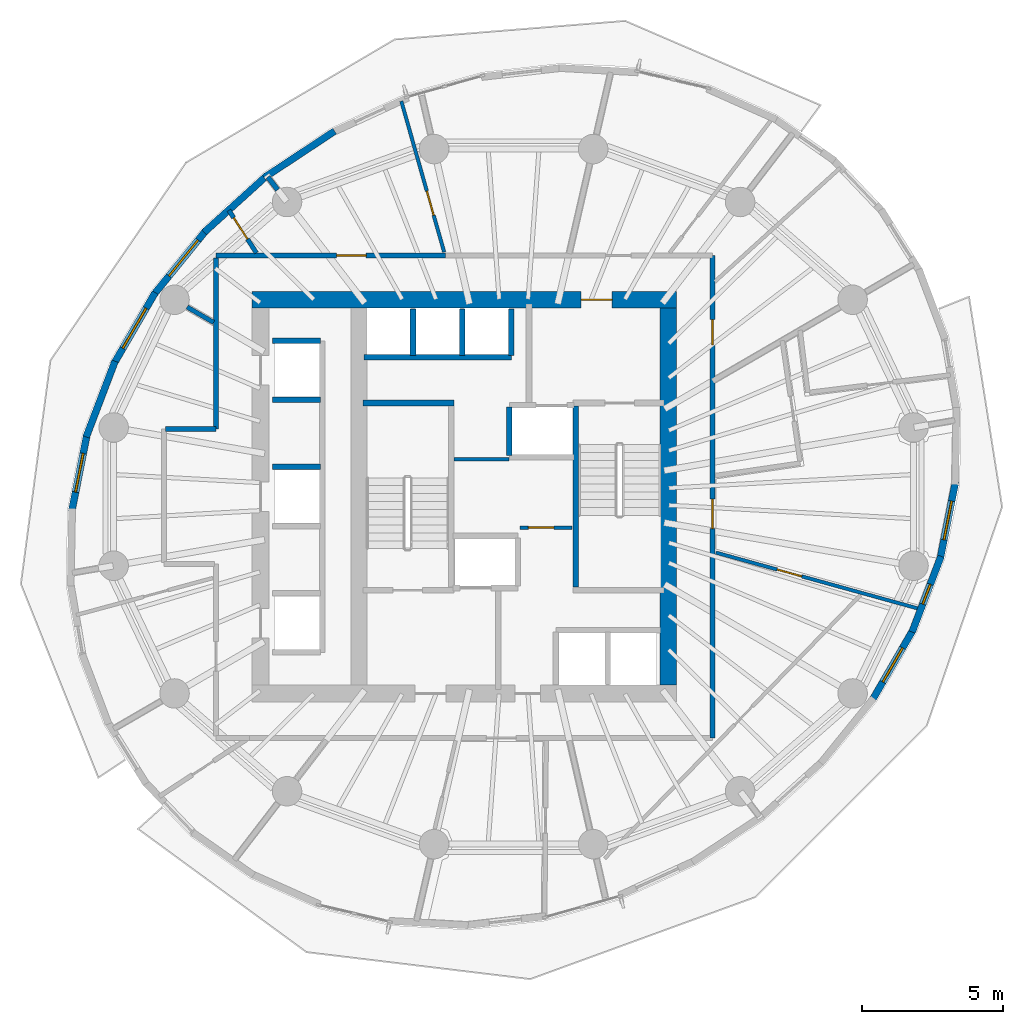
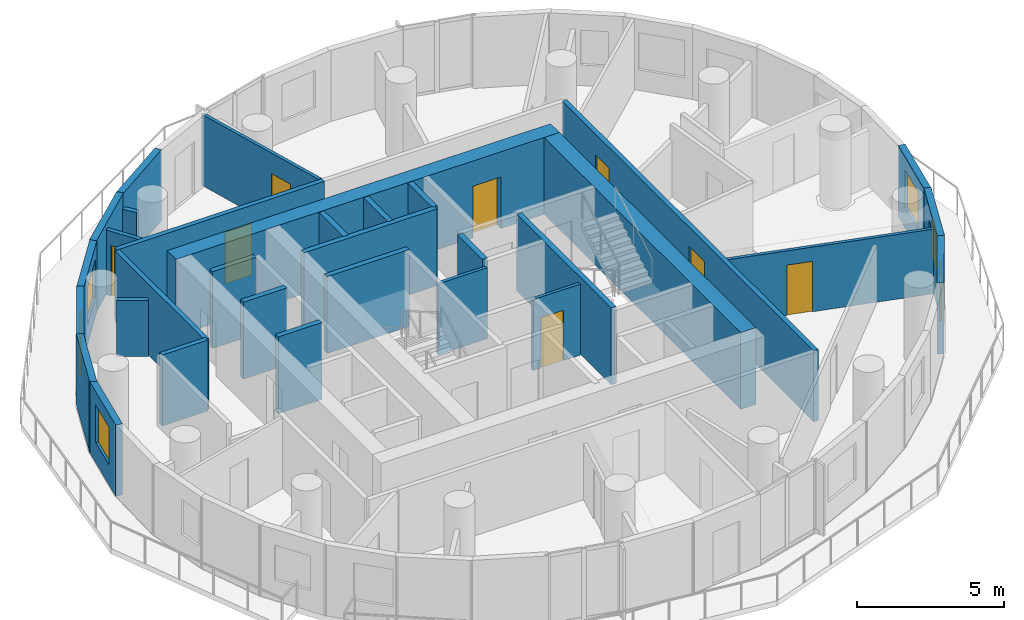
# One storey, part 6 of 13: 32 walls, 8 doors, 6 windows, 14 openings.
"""IFC4 building model written with IfcOpenShell, lengths in metres."""

from ifc_helpers import new_model, si_unit, direction, frame, frame_2d, origin, place, context, subcontext, project, spatial, rectangle, extrude, material, layer, layer_set, type_object, element, fill, save


model = new_model("IFC4")

# Units and contexts
model_context = context("Model", 3, precision=1e-05, world=origin(), true_north=direction((0.0, 1.0)))
body_context = subcontext(model_context, "Body", "Model", "MODEL_VIEW")
ifc_project = project(units=[si_unit("LENGTHUNIT", "METRE"), si_unit("AREAUNIT", "SQUARE_METRE"), si_unit("VOLUMEUNIT", "CUBIC_METRE"), si_unit("PLANEANGLEUNIT", "RADIAN"), si_unit("MASSUNIT", "GRAM", prefix="KILO")], contexts=[model_context])

# Site, building, storey
site_placement = place(None, origin())
site = spatial("IfcSite", under=ifc_project, at=site_placement, CompositionType="ELEMENT")
building_placement = place(site_placement, origin())
building = spatial("IfcBuilding", under=site, at=building_placement, Name="Veldorim Arch Residences", CompositionType="ELEMENT")
storey_placement = place(building_placement, frame((0.0, 0.0, 152.159912109375)))
storey = spatial("IfcBuildingStorey", under=building, at=storey_placement, Name="L45", CompositionType="ELEMENT", Elevation=152.159912109375)

# Wall, opening, door
ifc_material_1 = material(Name="Acoustic Gypsum Board", Category="gypsum")
ifc_layer_1 = layer(ifc_material_1, 0.125, Name="Acoustic Stud Room Partition Wall 125")
ifc_layer_set_1 = layer_set([ifc_layer_1], Name="Acoustic Gypsum Board")
wall_type_1 = type_object("IfcWallType", Name="Acoustic Stud Room Partition Wall 125", PredefinedType="PARTITIONING", material=ifc_layer_set_1)
wall_1_placement = place(storey_placement, frame((32.219970703125, 22.89990234375, 0.0), z_axis=(0.0, 0.0, 1.0), x_axis=(1.0, 0.0, 0.0)))
wall_1 = element("IfcWall", 1, at=wall_1_placement, inside=storey, type_object=wall_type_1, Name="L45 interior wall WL-CA-L45-2", PredefinedType="PARTITIONING", context=body_context, shape_type="SweptSolid", body=[
    extrude(rectangle(XDim=1.860107421875, YDim=0.125, at=frame_2d((0.93017578125, 0.0))), origin(), (0.0, 0.0, 1.0), 2.955078125),
])
opening_1_placement = place(wall_1_placement, frame((0.31005859375, 0.0, 0.0)))
opening_1 = element("IfcOpeningElement", 2, at=opening_1_placement, cuts=wall_1, Name="Opening DR-SVC", PredefinedType="OPENING", context=body_context, shape_type="SweptSolid", body=[
    extrude(rectangle(XDim=0.89990234375, YDim=2.10009765625, at=frame_2d((0.449951171875, 1.050048828125))), frame((0.0, 0.072509765625, 0.0), z_axis=(0.0, -1.0, 0.0), x_axis=(1.0, 0.0, 0.0)), (0.0, 0.0, 1.0), 0.14501953125),
])
ifc_material_2 = material(Name="Fire-Rated Steel", Category="steel")
door_type_1 = type_object("IfcDoorType", Name="Riser, Shelter & Plant Room Rated Steel Door 900x2100", OperationType="SINGLE_SWING_LEFT", PredefinedType="DOOR", material=ifc_material_2)
door_1_placement = place(opening_1_placement, origin())
door_1 = element("IfcDoor", 3, at=door_1_placement, inside=storey, type_object=door_type_1, Name="L45 interior door DR-L45-CA1", OperationType="SINGLE_SWING_RIGHT", OverallHeight=2.10009765625, OverallWidth=0.89990234375, PredefinedType="DOOR", context=body_context, shape_type="SweptSolid", body=[
    extrude(rectangle(XDim=0.89990234375, YDim=2.10009765625, at=frame_2d((0.449951171875, 1.050048828125))), frame((0.0, 0.02490234375, 0.0), z_axis=(0.0, -1.0, 0.0), x_axis=(1.0, 0.0, 0.0)), (0.0, 0.0, 1.0), 0.050048828125),
])
fill(opening_1, door_1)

# Wall
wall_2_placement = place(storey_placement, frame((29.889892578125, 25.330078125, 0.0), z_axis=(0.0, 0.0, 1.0), x_axis=(1.0, 0.0, 0.0)))
element("IfcWall", 4, at=wall_2_placement, inside=storey, type_object=wall_type_1, Name="L45 interior wall WL-CA-L45-N", PredefinedType="PARTITIONING", context=body_context, shape_type="SweptSolid", body=[
    extrude(rectangle(XDim=1.940185546875, YDim=0.125, at=frame_2d((0.97021484375, 0.0))), origin(), (0.0, 0.0, 1.0), 2.955078125),
])

# Wall, opening, door
wall_3_placement = place(storey_placement, frame((46.46630859375, 19.998046875, 0.0), z_axis=(0.0, 0.0, 1.0), x_axis=(-0.963794664313, 0.26664554195, 0.0)))
wall_3 = element("IfcWall", 5, at=wall_3_placement, inside=storey, type_object=wall_type_1, Name="L45 interior wall WL-RES-L45-017", PredefinedType="PARTITIONING", context=body_context, shape_type="SweptSolid", body=[
    extrude(rectangle(XDim=7.543701171875, YDim=0.125, at=frame_2d((3.77197265625, 0.0))), origin(), (0.0, 0.0, 1.0), 2.692138671875),
])
opening_2_placement = place(wall_3_placement, frame((4.380859375, 0.0, 0.0)))
opening_2 = element("IfcOpeningElement", 6, at=opening_2_placement, cuts=wall_3, Name="Opening DR-INT", PredefinedType="OPENING", context=body_context, shape_type="SweptSolid", body=[
    extrude(rectangle(XDim=0.89990234375, YDim=2.10009765625, at=frame_2d((0.449951171875, 1.050048828125))), frame((0.0, 0.072509765625, 0.0), z_axis=(0.0, -1.0, 0.0), x_axis=(1.0, 0.0, 0.0)), (0.0, 0.0, 1.0), 0.14501953125),
])
ifc_material_3 = material(Name="Engineered Timber", Category="wood")
door_type_2 = type_object("IfcDoorType", Name="Apartment Internal Room Timber Door 900x2100", OperationType="SINGLE_SWING_LEFT", PredefinedType="DOOR", material=ifc_material_3)
door_2_placement = place(opening_2_placement, origin())
door_2 = element("IfcDoor", 7, at=door_2_placement, inside=storey, type_object=door_type_2, Name="L45 interior door DR-RES-L45-006", OperationType="SINGLE_SWING_RIGHT", OverallHeight=2.10009765625, OverallWidth=0.89990234375, PredefinedType="DOOR", context=body_context, shape_type="SweptSolid", body=[
    extrude(rectangle(XDim=0.89990234375, YDim=2.10009765625, at=frame_2d((0.449951171875, 1.050048828125))), frame((0.0, 0.02490234375, 0.0), z_axis=(0.0, -1.0, 0.0), x_axis=(1.0, 0.0, 0.0)), (0.0, 0.0, 1.0), 0.050048828125),
])
fill(opening_2, door_2)

wall_4_placement = place(storey_placement, frame((28.008056640625, 38.0625, 0.0), z_axis=(0.0, 0.0, 1.0), x_axis=(0.273056222603, -0.961998076556, 0.0)))
wall_4 = element("IfcWall", 8, at=wall_4_placement, inside=storey, type_object=wall_type_1, Name="L45 interior wall WL-RES-L45-026", PredefinedType="PARTITIONING", context=body_context, shape_type="SweptSolid", body=[
    extrude(rectangle(XDim=5.5791015625, YDim=0.125, at=frame_2d((2.78955078125, 0.0))), origin(), (0.0, 0.0, 1.0), 2.955078125),
])
opening_3_placement = place(wall_4_placement, frame((3.319580078125, 0.0, 0.0)))
opening_3 = element("IfcOpeningElement", 9, at=opening_3_placement, cuts=wall_4, Name="Opening DR-INT", PredefinedType="OPENING", context=body_context, shape_type="SweptSolid", body=[
    extrude(rectangle(XDim=0.89990234375, YDim=2.10009765625, at=frame_2d((0.449951171875, 1.050048828125))), frame((0.0, 0.072509765625, 0.0), z_axis=(0.0, -1.0, 0.0), x_axis=(1.0, 0.0, 0.0)), (0.0, 0.0, 1.0), 0.14501953125),
])
door_3_placement = place(opening_3_placement, origin())
door_3 = element("IfcDoor", 10, at=door_3_placement, inside=storey, type_object=door_type_2, Name="L45 interior door DR-RES-L45-014", OperationType="SINGLE_SWING_RIGHT", OverallHeight=2.10009765625, OverallWidth=0.89990234375, PredefinedType="DOOR", context=body_context, shape_type="SweptSolid", body=[
    extrude(rectangle(XDim=0.89990234375, YDim=2.10009765625, at=frame_2d((0.449951171875, 1.050048828125))), frame((0.0, 0.02490234375, 0.0), z_axis=(0.0, -1.0, 0.0), x_axis=(1.0, 0.0, 0.0)), (0.0, 0.0, 1.0), 0.050048828125),
])
fill(opening_3, door_3)

# Wall
ifc_material_4 = material(Name="Lightweight Masonry Block & Gypsum", Category="masonry")
ifc_layer_2 = layer(ifc_material_4, 0.179931640625, Name="Compartment & Corridor Fire-Rated Party Wall 180")
ifc_layer_set_2 = layer_set([ifc_layer_2], Name="Lightweight Masonry Block & Gypsum")
wall_type_2 = type_object("IfcWallType", Name="Compartment & Corridor Fire-Rated Party Wall 180", PredefinedType="PARTITIONING", material=ifc_layer_set_2)
wall_5_placement = place(storey_placement, frame((23.612060546875, 34.908447265625, 0.0), z_axis=(0.0, 0.0, 1.0), x_axis=(-0.609608105511, 0.79270294417, 0.0)))
element("IfcWall", 11, at=wall_5_placement, inside=storey, type_object=wall_type_2, Name="L45 interior wall WL-PIER-L45-06", PredefinedType="PARTITIONING", context=body_context, shape_type="SweptSolid", body=[
    extrude(rectangle(XDim=0.57470703125, YDim=0.179931640625, at=frame_2d((0.287353515625, 0.0))), origin(), (0.0, 0.0, 1.0), 2.3359375),
])

# Wall, openings, doors
wall_6_placement = place(storey_placement, frame((39.080078125, 32.580078125, 0.0), z_axis=(0.0, 0.0, 1.0), x_axis=(0.0, -1.0, 0.0)))
wall_6 = element("IfcWall", 12, at=wall_6_placement, inside=storey, type_object=wall_type_2, Name="L45 interior wall WL-RES-L45-002", PredefinedType="PARTITIONING", context=body_context, shape_type="SweptSolid", body=[
    extrude(rectangle(XDim=17.16015625, YDim=0.179931640625, at=frame_2d((8.580078125, 0.0))), origin(), (0.0, 0.0, 1.0), 2.955078125),
])
opening_4_placement = place(wall_6_placement, frame((8.667236328125, 0.0, 0.0)))
opening_4 = element("IfcOpeningElement", 13, at=opening_4_placement, cuts=wall_6, Name="Opening DR-FLT", PredefinedType="OPENING", context=body_context, shape_type="SweptSolid", body=[
    extrude(rectangle(XDim=1.050048828125, YDim=2.14990234375, at=frame_2d((0.52490234375, 1.074951171875))), frame((0.0, 0.099853515625, 0.0), z_axis=(0.0, -1.0, 0.0), x_axis=(1.0, 0.0, 0.0)), (0.0, 0.0, 1.0), 0.199951171875),
])
opening_5_placement = place(wall_6_placement, frame((2.283935546875, 0.0, 0.0)))
opening_5 = element("IfcOpeningElement", 14, at=opening_5_placement, cuts=wall_6, Name="Opening DR-SVC", PredefinedType="OPENING", context=body_context, shape_type="SweptSolid", body=[
    extrude(rectangle(XDim=0.89990234375, YDim=2.10009765625, at=frame_2d((0.449951171875, 1.050048828125))), frame((0.0, 0.099853515625, 0.0), z_axis=(0.0, -1.0, 0.0), x_axis=(1.0, 0.0, 0.0)), (0.0, 0.0, 1.0), 0.199951171875),
])
ifc_material_5 = material(Name="Fire-Rated Timber", Category="wood")
door_type_3 = type_object("IfcDoorType", Name="Apartment Entrance Solid-Core Fire Door 1050x2150", OperationType="SINGLE_SWING_LEFT", PredefinedType="DOOR", material=ifc_material_5)
door_4_placement = place(opening_4_placement, origin())
door_4 = element("IfcDoor", 15, at=door_4_placement, inside=storey, type_object=door_type_3, Name="L45 interior door DR-RES-L45-004", OperationType="SINGLE_SWING_RIGHT", OverallHeight=2.14990234375, OverallWidth=1.050048828125, PredefinedType="DOOR", context=body_context, shape_type="SweptSolid", body=[
    extrude(rectangle(XDim=1.050048828125, YDim=2.14990234375, at=frame_2d((0.52490234375, 1.074951171875))), frame((0.0, 0.02490234375, 0.0), z_axis=(0.0, -1.0, 0.0), x_axis=(1.0, 0.0, 0.0)), (0.0, 0.0, 1.0), 0.050048828125),
])
fill(opening_4, door_4)
door_5_placement = place(opening_5_placement, origin())
door_5 = element("IfcDoor", 16, at=door_5_placement, inside=storey, type_object=door_type_1, Name="L45 interior door DR-RES-L45-010", OperationType="SINGLE_SWING_RIGHT", OverallHeight=2.10009765625, OverallWidth=0.89990234375, PredefinedType="DOOR", context=body_context, shape_type="SweptSolid", body=[
    extrude(rectangle(XDim=0.89990234375, YDim=2.10009765625, at=frame_2d((0.449951171875, 1.050048828125))), frame((0.0, 0.02490234375, 0.0), z_axis=(0.0, -1.0, 0.0), x_axis=(1.0, 0.0, 0.0)), (0.0, 0.0, 1.0), 0.050048828125),
])
fill(opening_5, door_5)

# Wall, opening, door
wall_7_placement = place(storey_placement, frame((21.419921875, 32.580078125, 0.0), z_axis=(0.0, 0.0, 1.0), x_axis=(1.0, 0.0, 0.0)))
wall_7 = element("IfcWall", 17, at=wall_7_placement, inside=storey, type_object=wall_type_2, Name="L45 interior wall WL-RES-L45-004", PredefinedType="PARTITIONING", context=body_context, shape_type="SweptSolid", body=[
    extrude(rectangle(XDim=8.16455078125, YDim=0.179931640625, at=frame_2d((4.082275390625, 0.0))), origin(), (0.0, 0.0, 1.0), 2.955078125),
])
opening_6_placement = place(wall_7_placement, frame((4.290771484375, 0.0, 0.0)))
opening_6 = element("IfcOpeningElement", 18, at=opening_6_placement, cuts=wall_7, Name="Opening DR-FLT", PredefinedType="OPENING", context=body_context, shape_type="SweptSolid", body=[
    extrude(rectangle(XDim=1.050048828125, YDim=2.14990234375, at=frame_2d((0.52490234375, 1.074951171875))), frame((0.0, 0.099853515625, 0.0), z_axis=(0.0, -1.0, 0.0), x_axis=(1.0, 0.0, 0.0)), (0.0, 0.0, 1.0), 0.199951171875),
])
door_6_placement = place(opening_6_placement, origin())
door_6 = element("IfcDoor", 19, at=door_6_placement, inside=storey, type_object=door_type_3, Name="L45 interior door DR-RES-L45-012", OperationType="SINGLE_SWING_RIGHT", OverallHeight=2.14990234375, OverallWidth=1.050048828125, PredefinedType="DOOR", context=body_context, shape_type="SweptSolid", body=[
    extrude(rectangle(XDim=1.050048828125, YDim=2.14990234375, at=frame_2d((0.52490234375, 1.074951171875))), frame((0.0, 0.02490234375, 0.0), z_axis=(0.0, -1.0, 0.0), x_axis=(1.0, 0.0, 0.0)), (0.0, 0.0, 1.0), 0.050048828125),
])
fill(opening_6, door_6)

# Walls
wall_8_placement = place(storey_placement, frame((21.419921875, 26.39990234375, 0.0), z_axis=(0.0, 0.0, 1.0), x_axis=(0.0, 1.0, 0.0)))
element("IfcWall", 20, at=wall_8_placement, inside=storey, type_object=wall_type_2, Name="L45 interior wall WL-RES-L45-005", PredefinedType="PARTITIONING", context=body_context, shape_type="SweptSolid", body=[
    extrude(rectangle(XDim=6.080078125, YDim=0.179931640625, at=frame_2d((3.0400390625, 0.0))), origin(), (0.0, 0.0, 1.0), 2.955078125),
])
wall_9_placement = place(storey_placement, frame((19.6298828125, 26.39990234375, 0.0), z_axis=(0.0, 0.0, 1.0), x_axis=(1.0, 0.0, 0.0)))
element("IfcWall", 21, at=wall_9_placement, inside=storey, type_object=wall_type_2, Name="L45 interior wall WL-RES-L45-010", PredefinedType="PARTITIONING", context=body_context, shape_type="SweptSolid", body=[
    extrude(rectangle(XDim=1.7900390625, YDim=0.179931640625, at=frame_2d((0.89501953125, 0.0))), origin(), (0.0, 0.0, 1.0), 2.955078125),
])
ifc_material_6 = material(Name="Concrete C50/60", Category="concrete")
ifc_layer_3 = layer(ifc_material_6, 0.199951171875, Name="Core Stair & Lift Shaft Enclosure Wall 200")
ifc_layer_set_3 = layer_set([ifc_layer_3], Name="Concrete C50/60")
wall_type_3 = type_object("IfcWallType", Name="Core Stair & Lift Shaft Enclosure Wall 200", PredefinedType="SHEAR", material=ifc_layer_set_3)
wall_10_placement = place(storey_placement, frame((26.64990234375, 27.330078125, 0.0), z_axis=(0.0, 0.0, 1.0), x_axis=(1.0, 0.0, 0.0)))
element("IfcWall", 22, at=wall_10_placement, inside=storey, type_object=wall_type_3, Name="L45 shaft wall WL-SHF-L45-ST1-N", PredefinedType="SHEAR", context=body_context, shape_type="SweptSolid", body=[
    extrude(rectangle(XDim=3.239990234375, YDim=0.199951171875, at=frame_2d((1.6201171875, 0.0))), origin(), (0.0, 0.0, 1.0), 3.2001953125),
])
wall_11_placement = place(storey_placement, frame((34.2099609375, 20.780029296875, 0.0), z_axis=(0.0, 0.0, 1.0), x_axis=(0.0, 1.0, 0.0)))
element("IfcWall", 23, at=wall_11_placement, inside=storey, type_object=wall_type_3, Name="L45 shaft wall WL-SHF-L45-ST2-W", PredefinedType="SHEAR", context=body_context, shape_type="SweptSolid", body=[
    extrude(rectangle(XDim=6.43994140625, YDim=0.199951171875, at=frame_2d((3.219970703125, 0.0))), origin(), (0.0, 0.0, 1.0), 3.2001953125),
])
for number, where, z_axis, x_axis, name in (
    (24, (31.85009765625, 25.469970703125, 0.0), (0.0, 0.0, 1.0), (0.0, 1.0, 0.0), "L45 shaft wall WL-FL02-L45-W"),
    (25, (23.419921875, 29.5400390625, 0.0), (0.0, 0.0, 1.0), (1.0, 0.0, 0.0), "L45 shaft wall WL-B2-L45-N"),
    (26, (23.419921875, 25.06005859375, 0.0), (0.0, 0.0, 1.0), (1.0, 0.0, 0.0), "L45 shaft wall WL-B2-L45-D2A"),
    (27, (23.419921875, 27.43994140625, 0.0), (0.0, 0.0, 1.0), (1.0, 0.0, 0.0), "L45 shaft wall WL-B2-L45-D2B"),
):
    element("IfcWall", number, at=place(storey_placement, frame(where, z_axis=z_axis, x_axis=x_axis)), inside=storey, type_object=wall_type_3, Name=name, PredefinedType="SHEAR", context=body_context, shape_type="SweptSolid", body=[
        extrude(rectangle(XDim=1.7099609375, YDim=0.199951171875, at=frame_2d((0.85498046875, 0.0))), origin(), (0.0, 0.0, 1.0), 3.2001953125),
    ])
wall_12_placement = place(storey_placement, frame((26.679931640625, 28.949951171875, 0.0), z_axis=(0.0, 0.0, 1.0), x_axis=(1.0, 0.0, 0.0)))
element("IfcWall", 28, at=wall_12_placement, inside=storey, type_object=wall_type_3, Name="L45 shaft wall WL-B3-L45-S", PredefinedType="SHEAR", context=body_context, shape_type="SweptSolid", body=[
    extrude(rectangle(XDim=5.239990234375, YDim=0.199951171875, at=frame_2d((2.6201171875, 0.0))), origin(), (0.0, 0.0, 1.0), 3.2001953125),
])
for number, where, z_axis, x_axis, name in (
    (29, (31.919921875, 29.02001953125, 0.0), (0.0, 0.0, 1.0), (0.0, 1.0, 0.0), "L45 shaft wall WL-B3-L45-E"),
    (30, (28.425048828125, 29.02001953125, 0.0), (0.0, 0.0, 1.0), (0.0, 1.0, 0.0), "L45 shaft wall WL-B3-L45-D1"),
    (31, (30.175048828125, 29.02001953125, 0.0), (0.0, 0.0, 1.0), (0.0, 1.0, 0.0), "L45 shaft wall WL-B3-L45-D2"),
):
    element("IfcWall", number, at=place(storey_placement, frame(where, z_axis=z_axis, x_axis=x_axis)), inside=storey, type_object=wall_type_3, Name=name, PredefinedType="SHEAR", context=body_context, shape_type="SweptSolid", body=[
        extrude(rectangle(XDim=1.659912109375, YDim=0.199951171875, at=frame_2d((0.830078125, 0.0))), origin(), (0.0, 0.0, 1.0), 3.2001953125),
    ])

# Wall, opening, door
ifc_material_7 = material(Name="Concrete C50/60", Category="concrete")
ifc_layer_4 = layer(ifc_material_7, 0.60009765625, Name="Mid-Upper Central Core Shear Wall 600")
ifc_layer_set_4 = layer_set([ifc_layer_4], Name="Concrete C50/60")
wall_type_4 = type_object("IfcWallType", Name="Mid-Upper Central Core Shear Wall 600", PredefinedType="SHEAR", material=ifc_layer_set_4)
wall_13_placement = place(storey_placement, frame((22.699951171875, 31.0, 0.0), z_axis=(0.0, 0.0, 1.0), x_axis=(1.0, 0.0, 0.0)))
wall_13 = element("IfcWall", 32, at=wall_13_placement, inside=storey, type_object=wall_type_4, Name="L45 central core north shear wall", PredefinedType="SHEAR", context=body_context, shape_type="SweptSolid", body=[
    extrude(rectangle(XDim=15.10009765625, YDim=0.60009765625, at=frame_2d((7.550048828125, 0.0))), origin(), (0.0, 0.0, 1.0), 3.2001953125),
])
opening_7_placement = place(wall_13_placement, frame((11.699951171875, 0.0, 0.0)))
opening_7 = element("IfcOpeningElement", 33, at=opening_7_placement, cuts=wall_13, Name="Opening DR-FFL", PredefinedType="OPENING", context=body_context, shape_type="SweptSolid", body=[
    extrude(rectangle(XDim=1.10009765625, YDim=2.14990234375, at=frame_2d((0.550048828125, 1.074951171875))), frame((0.0, 0.31005859375, 0.0), z_axis=(0.0, -1.0, 0.0), x_axis=(1.0, 0.0, 0.0)), (0.0, 0.0, 1.0), 0.6201171875),
])
ifc_material_8 = material(Name="Fire-Rated Steel & Vision Glass", Category="steel")
door_type_4 = type_object("IfcDoorType", Name="Firefighting Lobby Smoke-Stop Fire Door 1100x2150", OperationType="SINGLE_SWING_LEFT", PredefinedType="DOOR", material=ifc_material_8)
door_7_placement = place(opening_7_placement, origin())
door_7 = element("IfcDoor", 34, at=door_7_placement, inside=storey, type_object=door_type_4, Name="L45 interior door DR-L45-FFL2", OperationType="SINGLE_SWING_LEFT", OverallHeight=2.14990234375, OverallWidth=1.10009765625, PredefinedType="DOOR", context=body_context, shape_type="SweptSolid", body=[
    extrude(rectangle(XDim=1.10009765625, YDim=2.14990234375, at=frame_2d((0.550048828125, 1.074951171875))), frame((0.0, 0.02490234375, 0.0), z_axis=(0.0, -1.0, 0.0), x_axis=(1.0, 0.0, 0.0)), (0.0, 0.0, 1.0), 0.050048828125),
])
fill(opening_7, door_7)

# Walls
wall_14_placement = place(storey_placement, frame((37.5, 17.300048828125, 0.0), z_axis=(0.0, 0.0, 1.0), x_axis=(0.0, 1.0, 0.0)))
element("IfcWall", 35, at=wall_14_placement, inside=storey, type_object=wall_type_4, Name="L45 central core east shear wall", PredefinedType="SHEAR", context=body_context, shape_type="SweptSolid", body=[
    extrude(rectangle(XDim=13.39990234375, YDim=0.60009765625, at=frame_2d((6.699951171875, 0.0))), origin(), (0.0, 0.0, 1.0), 3.2001953125),
])
ifc_material_9 = material(Name="Precast concrete C40/50", Category="concrete")
ifc_layer_5 = layer(ifc_material_9, 0.25, Name="Tower Terracotta Spandrel & Pier Wall 250")
ifc_layer_set_5 = layer_set([ifc_layer_5], Name="Precast concrete C40/50")
wall_type_5 = type_object("IfcWallType", Name="Tower Terracotta Spandrel & Pier Wall 250", PredefinedType="SOLIDWALL", material=ifc_layer_set_5)
wall_15_placement = place(storey_placement, frame((23.132080078125, 35.343994140625, 0.0), z_axis=(0.0, 0.0, 1.0), x_axis=(0.83436073477, 0.551218798912, 0.0)))
element("IfcWall", 36, at=wall_15_placement, inside=storey, type_object=wall_type_5, Name="L45 terracotta facade wall 09", PredefinedType="SOLIDWALL", context=body_context, shape_type="SweptSolid", body=[
    extrude(rectangle(XDim=2.998046875, YDim=0.25, at=frame_2d((1.4990234375, 0.0))), origin(), (0.0, 0.0, 1.0), 2.960205078125),
])
wall_16_placement = place(storey_placement, frame((20.994873046875, 33.3984375, 0.0), z_axis=(0.0, 0.0, 1.0), x_axis=(0.741367932595, 0.671098791922, 0.0)))
element("IfcWall", 37, at=wall_16_placement, inside=storey, type_object=wall_type_5, Name="L45 terracotta facade wall 10", PredefinedType="SOLIDWALL", context=body_context, shape_type="SweptSolid", body=[
    extrude(rectangle(XDim=2.998291015625, YDim=0.25, at=frame_2d((1.4990234375, 0.0))), origin(), (0.0, 0.0, 1.0), 2.960205078125),
])

# Wall, opening, window
wall_17_placement = place(storey_placement, frame((19.19287109375, 31.166748046875, 0.0), z_axis=(0.0, 0.0, 1.0), x_axis=(0.630478385784, 0.776206805599, 0.0)))
wall_17 = element("IfcWall", 38, at=wall_17_placement, inside=storey, type_object=wall_type_5, Name="L45 terracotta facade wall 11", PredefinedType="SOLIDWALL", context=body_context, shape_type="SweptSolid", body=[
    extrude(rectangle(XDim=2.97705078125, YDim=0.25, at=frame_2d((1.488525390625, 0.0))), origin(), (0.0, 0.0, 1.0), 2.960205078125),
])
opening_8_placement = place(wall_17_placement, frame((0.873046875, 0.0, 0.85009765625)))
opening_8 = element("IfcOpeningElement", 39, at=opening_8_placement, cuts=wall_17, Name="Opening WN-03", PredefinedType="OPENING", context=body_context, shape_type="SweptSolid", body=[
    extrude(rectangle(XDim=1.64990234375, YDim=1.550048828125, at=frame_2d((0.824951171875, 0.77490234375))), frame((0.0, 0.135009765625, 0.0), z_axis=(0.0, -1.0, 0.0), x_axis=(1.0, 0.0, 0.0)), (0.0, 0.0, 1.0), 0.27001953125),
])
ifc_material_10 = material(Name="Laminated Low-E Glass", Category="glass")
window_type_1 = type_object("IfcWindowType", Name="Residential Wide Window 1650x1550", PartitioningType="SINGLE_PANEL", PredefinedType="WINDOW", material=ifc_material_10)
window_1_placement = place(opening_8_placement, origin())
window_1 = element("IfcWindow", 40, at=window_1_placement, inside=storey, type_object=window_type_1, Name="L45 solar-control facade window 11", OverallHeight=1.550048828125, OverallWidth=1.64990234375, PartitioningType="SINGLE_PANEL", PredefinedType="WINDOW", context=body_context, shape_type="SweptSolid", body=[
    extrude(rectangle(XDim=1.64990234375, YDim=1.550048828125, at=frame_2d((0.824951171875, 0.77490234375))), frame((0.0, 0.030029296875, 0.0), z_axis=(0.0, -1.0, 0.0), x_axis=(1.0, 0.0, 0.0)), (0.0, 0.0, 1.0), 0.06005859375),
])
fill(opening_8, window_1)

wall_18_placement = place(storey_placement, frame((17.780517578125, 28.716552734375, 0.0), z_axis=(0.0, 0.0, 1.0), x_axis=(0.502009170613, 0.864862296912, 0.0)))
wall_18 = element("IfcWall", 41, at=wall_18_placement, inside=storey, type_object=wall_type_5, Name="L45 terracotta facade wall 12", PredefinedType="SOLIDWALL", context=body_context, shape_type="SweptSolid", body=[
    extrude(rectangle(XDim=2.93701171875, YDim=0.25, at=frame_2d((1.468505859375, 0.0))), origin(), (0.0, 0.0, 1.0), 2.960205078125),
])
opening_9_placement = place(wall_18_placement, frame((0.64306640625, 0.0, 0.85009765625)))
opening_9 = element("IfcOpeningElement", 42, at=opening_9_placement, cuts=wall_18, Name="Opening WN-03", PredefinedType="OPENING", context=body_context, shape_type="SweptSolid", body=[
    extrude(rectangle(XDim=1.64990234375, YDim=1.550048828125, at=frame_2d((0.824951171875, 0.77490234375))), frame((0.0, 0.135009765625, 0.0), z_axis=(0.0, -1.0, 0.0), x_axis=(1.0, 0.0, 0.0)), (0.0, 0.0, 1.0), 0.27001953125),
])
window_2_placement = place(opening_9_placement, origin())
window_2 = element("IfcWindow", 43, at=window_2_placement, inside=storey, type_object=window_type_1, Name="L45 solar-control facade window 12", OverallHeight=1.550048828125, OverallWidth=1.64990234375, PartitioningType="SINGLE_PANEL", PredefinedType="WINDOW", context=body_context, shape_type="SweptSolid", body=[
    extrude(rectangle(XDim=1.64990234375, YDim=1.550048828125, at=frame_2d((0.824951171875, 0.77490234375))), frame((0.0, 0.030029296875, 0.0), z_axis=(0.0, -1.0, 0.0), x_axis=(1.0, 0.0, 0.0)), (0.0, 0.0, 1.0), 0.06005859375),
])
fill(opening_9, window_2)

# Wall
wall_19_placement = place(storey_placement, frame((16.801513671875, 26.123046875, 0.0), z_axis=(0.0, 0.0, 1.0), x_axis=(0.356178525313, 0.934417924756, 0.0)))
element("IfcWall", 44, at=wall_19_placement, inside=storey, type_object=wall_type_5, Name="L45 terracotta facade wall 13", PredefinedType="SOLIDWALL", context=body_context, shape_type="SweptSolid", body=[
    extrude(rectangle(XDim=2.881591796875, YDim=0.25, at=frame_2d((1.44091796875, 0.0))), origin(), (0.0, 0.0, 1.0), 2.960205078125),
])

# Wall, opening, window
wall_20_placement = place(storey_placement, frame((16.28515625, 23.465576171875, 0.0), z_axis=(0.0, 0.0, 1.0), x_axis=(0.194099406303, 0.980981865517, 0.0)))
wall_20 = element("IfcWall", 45, at=wall_20_placement, inside=storey, type_object=wall_type_5, Name="L45 terracotta facade wall 14", PredefinedType="SOLIDWALL", context=body_context, shape_type="SweptSolid", body=[
    extrude(rectangle(XDim=2.8173828125, YDim=0.25, at=frame_2d((1.40869140625, 0.0))), origin(), (0.0, 0.0, 1.0), 2.960205078125),
])
opening_10_placement = place(wall_20_placement, frame((0.708984375, 0.0, 0.85009765625)))
opening_10 = element("IfcOpeningElement", 46, at=opening_10_placement, cuts=wall_20, Name="Opening WN-02", PredefinedType="OPENING", context=body_context, shape_type="SweptSolid", body=[
    extrude(rectangle(XDim=1.39990234375, YDim=1.550048828125, at=frame_2d((0.699951171875, 0.77490234375))), frame((0.0, 0.135009765625, 0.0), z_axis=(0.0, -1.0, 0.0), x_axis=(1.0, 0.0, 0.0)), (0.0, 0.0, 1.0), 0.27001953125),
])
ifc_material_11 = material(Name="Laminated Low-E Glass", Category="glass")
window_type_2 = type_object("IfcWindowType", Name="Residential Casement Window 1400x1550", PartitioningType="SINGLE_PANEL", PredefinedType="WINDOW", material=ifc_material_11)
window_3_placement = place(opening_10_placement, origin())
window_3 = element("IfcWindow", 47, at=window_3_placement, inside=storey, type_object=window_type_2, Name="L45 solar-control facade window 14", OverallHeight=1.550048828125, OverallWidth=1.39990234375, PartitioningType="SINGLE_PANEL", PredefinedType="WINDOW", context=body_context, shape_type="SweptSolid", body=[
    extrude(rectangle(XDim=1.39990234375, YDim=1.550048828125, at=frame_2d((0.699951171875, 0.77490234375))), frame((0.0, 0.030029296875, 0.0), z_axis=(0.0, -1.0, 0.0), x_axis=(1.0, 0.0, 0.0)), (0.0, 0.0, 1.0), 0.06005859375),
])
fill(opening_10, window_3)

wall_21_placement = place(storey_placement, frame((46.219482421875, 19.283447265625, 0.0), z_axis=(0.0, 0.0, 1.0), x_axis=(-0.502009170613, -0.864862296912, 0.0)))
wall_21 = element("IfcWall", 48, at=wall_21_placement, inside=storey, type_object=wall_type_5, Name="L45 terracotta facade wall 30", PredefinedType="SOLIDWALL", context=body_context, shape_type="SweptSolid", body=[
    extrude(rectangle(XDim=2.93701171875, YDim=0.25, at=frame_2d((1.468505859375, 0.0))), origin(), (0.0, 0.0, 1.0), 2.960205078125),
])
opening_11_placement = place(wall_21_placement, frame((0.76806640625, 0.0, 0.85009765625)))
opening_11 = element("IfcOpeningElement", 49, at=opening_11_placement, cuts=wall_21, Name="Opening WN-02", PredefinedType="OPENING", context=body_context, shape_type="SweptSolid", body=[
    extrude(rectangle(XDim=1.39990234375, YDim=1.550048828125, at=frame_2d((0.699951171875, 0.77490234375))), frame((0.0, 0.135009765625, 0.0), z_axis=(0.0, -1.0, 0.0), x_axis=(1.0, 0.0, 0.0)), (0.0, 0.0, 1.0), 0.27001953125),
])
window_4_placement = place(opening_11_placement, origin())
window_4 = element("IfcWindow", 50, at=window_4_placement, inside=storey, type_object=window_type_2, Name="L45 solar-control facade window 30", OverallHeight=1.550048828125, OverallWidth=1.39990234375, PartitioningType="SINGLE_PANEL", PredefinedType="WINDOW", context=body_context, shape_type="SweptSolid", body=[
    extrude(rectangle(XDim=1.39990234375, YDim=1.550048828125, at=frame_2d((0.699951171875, 0.77490234375))), frame((0.0, 0.030029296875, 0.0), z_axis=(0.0, -1.0, 0.0), x_axis=(1.0, 0.0, 0.0)), (0.0, 0.0, 1.0), 0.06005859375),
])
fill(opening_11, window_4)

wall_22_placement = place(storey_placement, frame((47.198486328125, 21.876953125, 0.0), z_axis=(0.0, 0.0, 1.0), x_axis=(-0.356178525313, -0.934417924756, 0.0)))
wall_22 = element("IfcWall", 51, at=wall_22_placement, inside=storey, type_object=wall_type_5, Name="L45 terracotta facade wall 31", PredefinedType="SOLIDWALL", context=body_context, shape_type="SweptSolid", body=[
    extrude(rectangle(XDim=2.881591796875, YDim=0.25, at=frame_2d((1.44091796875, 0.0))), origin(), (0.0, 0.0, 1.0), 2.960205078125),
])
opening_12_placement = place(wall_22_placement, frame((1.06591796875, 0.0, 0.85009765625)))
opening_12 = element("IfcOpeningElement", 52, at=opening_12_placement, cuts=wall_22, Name="Opening WN-04C", PredefinedType="OPENING", context=body_context, shape_type="SweptSolid", body=[
    extrude(rectangle(XDim=0.75, YDim=1.550048828125, at=frame_2d((0.375, 0.77490234375))), frame((0.0, 0.135009765625, 0.0), z_axis=(0.0, -1.0, 0.0), x_axis=(1.0, 0.0, 0.0)), (0.0, 0.0, 1.0), 0.27001953125),
])
ifc_material_12 = material(Name="Low-E Double Glazing & Aluminium", Category="aluminium")
window_type_3 = type_object("IfcWindowType", Name="Narrow Bedroom Casement Window 750x1550", PartitioningType="SINGLE_PANEL", PredefinedType="WINDOW", material=ifc_material_12)
window_5_placement = place(opening_12_placement, origin())
window_5 = element("IfcWindow", 53, at=window_5_placement, inside=storey, type_object=window_type_3, Name="L45 solar-control facade window 31", OverallHeight=1.550048828125, OverallWidth=0.75, PartitioningType="SINGLE_PANEL", PredefinedType="WINDOW", context=body_context, shape_type="SweptSolid", body=[
    extrude(rectangle(XDim=0.75, YDim=1.550048828125, at=frame_2d((0.375, 0.77490234375))), frame((0.0, 0.030029296875, 0.0), z_axis=(0.0, -1.0, 0.0), x_axis=(1.0, 0.0, 0.0)), (0.0, 0.0, 1.0), 0.06005859375),
])
fill(opening_12, window_5)

wall_23_placement = place(storey_placement, frame((47.71484375, 24.534423828125, 0.0), z_axis=(0.0, 0.0, 1.0), x_axis=(-0.194099406303, -0.980981865517, 0.0)))
wall_23 = element("IfcWall", 54, at=wall_23_placement, inside=storey, type_object=wall_type_5, Name="L45 terracotta facade wall 32", PredefinedType="SOLIDWALL", context=body_context, shape_type="SweptSolid", body=[
    extrude(rectangle(XDim=2.8173828125, YDim=0.25, at=frame_2d((1.40869140625, 0.0))), origin(), (0.0, 0.0, 1.0), 2.960205078125),
])
opening_13_placement = place(wall_23_placement, frame((0.708984375, 0.0, 0.85009765625)))
opening_13 = element("IfcOpeningElement", 55, at=opening_13_placement, cuts=wall_23, Name="Opening WN-02", PredefinedType="OPENING", context=body_context, shape_type="SweptSolid", body=[
    extrude(rectangle(XDim=1.39990234375, YDim=1.550048828125, at=frame_2d((0.699951171875, 0.77490234375))), frame((0.0, 0.135009765625, 0.0), z_axis=(0.0, -1.0, 0.0), x_axis=(1.0, 0.0, 0.0)), (0.0, 0.0, 1.0), 0.27001953125),
])
window_6_placement = place(opening_13_placement, origin())
window_6 = element("IfcWindow", 56, at=window_6_placement, inside=storey, type_object=window_type_2, Name="L45 solar-control facade window 32", OverallHeight=1.550048828125, OverallWidth=1.39990234375, PartitioningType="SINGLE_PANEL", PredefinedType="WINDOW", context=body_context, shape_type="SweptSolid", body=[
    extrude(rectangle(XDim=1.39990234375, YDim=1.550048828125, at=frame_2d((0.699951171875, 0.77490234375))), frame((0.0, 0.030029296875, 0.0), z_axis=(0.0, -1.0, 0.0), x_axis=(1.0, 0.0, 0.0)), (0.0, 0.0, 1.0), 0.06005859375),
])
fill(opening_13, window_6)

# Wall, opening, door
ifc_material_13 = material(Name="Moisture-Resistant Gypsum & Stud", Category="gypsum")
ifc_layer_6 = layer(ifc_material_13, 0.159912109375, Name="Wet-Area Moisture-Resistant Plumbing Wall 160")
ifc_layer_set_6 = layer_set([ifc_layer_6], Name="Moisture-Resistant Gypsum & Stud")
wall_type_6 = type_object("IfcWallType", Name="Wet-Area Moisture-Resistant Plumbing Wall 160", PredefinedType="PLUMBINGWALL", material=ifc_layer_set_6)
wall_24_placement = place(storey_placement, frame((22.856689453125, 32.6640625, 0.0), z_axis=(0.0, 0.0, 1.0), x_axis=(-0.542638936207, 0.839966061762, 0.0)))
wall_24 = element("IfcWall", 57, at=wall_24_placement, inside=storey, type_object=wall_type_6, Name="L45 interior wall WL-RES-L45-025", PredefinedType="PLUMBINGWALL", context=body_context, shape_type="SweptSolid", body=[
    extrude(rectangle(XDim=1.80224609375, YDim=0.159912109375, at=frame_2d((0.901123046875, 0.0))), origin(), (0.0, 0.0, 1.0), 2.692138671875),
])
opening_14_placement = place(wall_24_placement, frame((0.59130859375, 0.0, 0.0)))
opening_14 = element("IfcOpeningElement", 58, at=opening_14_placement, cuts=wall_24, Name="Opening DR-WC", PredefinedType="OPENING", context=body_context, shape_type="SweptSolid", body=[
    extrude(rectangle(XDim=0.89990234375, YDim=2.10009765625, at=frame_2d((0.449951171875, 1.050048828125))), frame((0.0, 0.08984375, 0.0), z_axis=(0.0, -1.0, 0.0), x_axis=(1.0, 0.0, 0.0)), (0.0, 0.0, 1.0), 0.179931640625),
])
ifc_material_14 = material(Name="Laminate Timber", Category="wood")
door_type_5 = type_object("IfcDoorType", Name="Bathroom & Accessible WC Moisture-Sealed Door 900x2100", OperationType="SINGLE_SWING_LEFT", PredefinedType="DOOR", material=ifc_material_14)
door_8_placement = place(opening_14_placement, origin())
door_8 = element("IfcDoor", 59, at=door_8_placement, inside=storey, type_object=door_type_5, Name="L45 interior door DR-RES-L45-013", OperationType="SINGLE_SWING_LEFT", OverallHeight=2.10009765625, OverallWidth=0.89990234375, PredefinedType="DOOR", context=body_context, shape_type="SweptSolid", body=[
    extrude(rectangle(XDim=0.89990234375, YDim=2.10009765625, at=frame_2d((0.449951171875, 1.050048828125))), frame((0.0, 0.02490234375, 0.0), z_axis=(0.0, -1.0, 0.0), x_axis=(1.0, 0.0, 0.0)), (0.0, 0.0, 1.0), 0.050048828125),
])
fill(opening_14, door_8)

# Wall
wall_25_placement = place(storey_placement, frame((21.33349609375, 30.193115234375, 0.0), z_axis=(0.0, 0.0, 1.0), x_axis=(-0.864719901707, 0.50225440923, 0.0)))
element("IfcWall", 60, at=wall_25_placement, inside=storey, type_object=wall_type_6, Name="L45 interior wall WL-RES-L45-027", PredefinedType="PLUMBINGWALL", context=body_context, shape_type="SweptSolid", body=[
    extrude(rectangle(XDim=1.08984375, YDim=0.159912109375, at=frame_2d((0.544921875, 0.0))), origin(), (0.0, 0.0, 1.0), 2.3359375),
])

save(model, "model.ifc")
